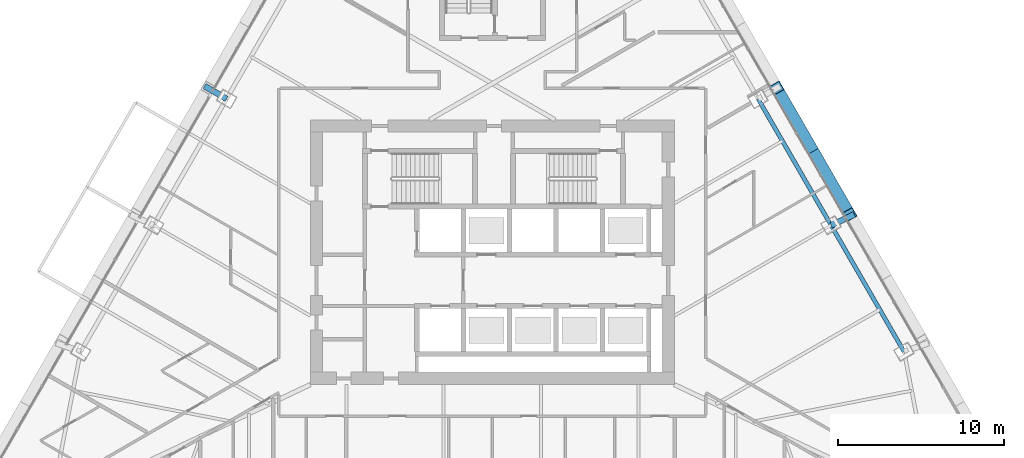
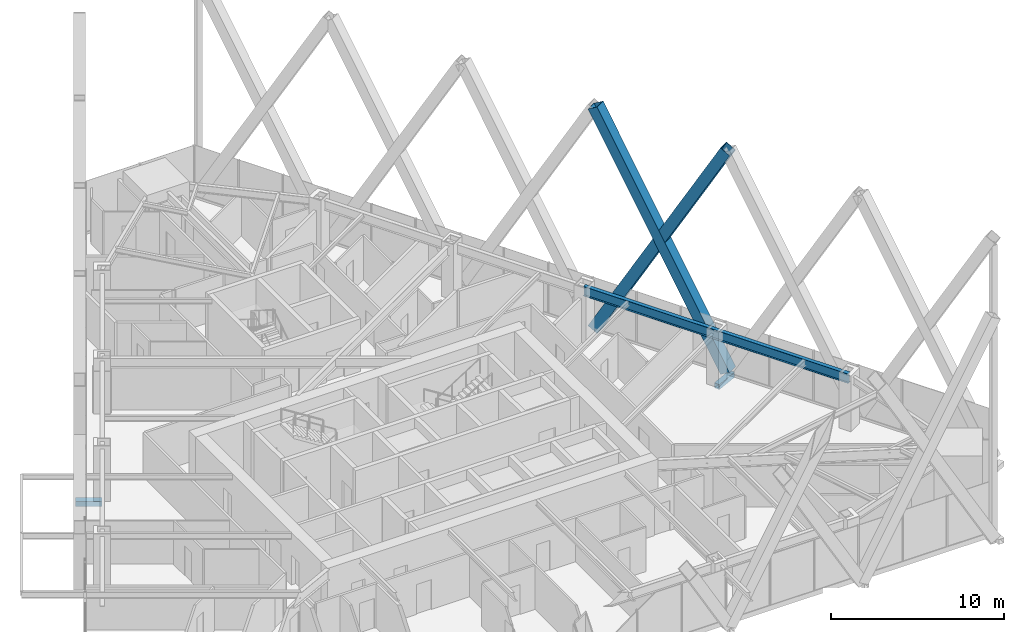
# One storey, part 6 of 19: 4 members, 1 beam.
"""IFC4 building model written with IfcOpenShell, lengths in metres."""

from ifc_helpers import new_model, si_unit, direction, frame, origin, origin_2d, place, context, subcontext, project, spatial, hollow_rectangle, i_section, extrude, material, material_profile, profile_set, type_object, element, save


model = new_model("IFC4")

# Units and contexts
model_context = context("Model", 3, precision=1e-05, world=origin(), true_north=direction((0.0, 1.0)))
body_context = subcontext(model_context, "Body", "Model", "MODEL_VIEW")
ifc_project = project(units=[si_unit("LENGTHUNIT", "METRE"), si_unit("AREAUNIT", "SQUARE_METRE"), si_unit("VOLUMEUNIT", "CUBIC_METRE"), si_unit("PLANEANGLEUNIT", "RADIAN"), si_unit("MASSUNIT", "GRAM", prefix="KILO")], contexts=[model_context])

# Site, building, storey
site_placement = place(None, origin())
site = spatial("IfcSite", under=ifc_project, at=site_placement, CompositionType="ELEMENT")
building_placement = place(site_placement, origin())
building = spatial("IfcBuilding", under=site, at=building_placement, Name="Firuza Gate Tower and Library", CompositionType="ELEMENT")
storey_placement = place(building_placement, frame((0.0, 0.0, 187.0)))
storey = spatial("IfcBuildingStorey", under=building, at=storey_placement, Name="L43", CompositionType="ELEMENT", Elevation=187.0)

# Members
ifc_material_1 = material(Name="Steel S355", Category="steel")
ifc_material_profile_1 = material_profile(ifc_material_1, hollow_rectangle(XDim=0.699951171875, YDim=0.699951171875, WallThickness=0.030029296875, at=origin_2d()))
ifc_profile_set_1 = profile_set([ifc_material_profile_1], Name="Steel S355")
member_type_1 = type_object("IfcMemberType", Name="BU700x700x30 Lattice brace", PredefinedType="BRACE", material=ifc_profile_set_1)
for number, where, z_axis, x_axis, name in (
    (1, (96.59423828125, 77.278564453125, 0.0), (-0.246174118604, 0.426363983638, 0.870409131837), (-0.866014182773, -0.500019434859, 0.0), "Lattice brace E 10.3R"),
    (2, (92.18212890625, 84.920166015625, 0.0), (0.246174118604, -0.426363983638, 0.870409131837), (0.866014182773, 0.500019434859, 0.0), "Lattice brace E 10.3L"),
):
    element("IfcMember", number, at=place(storey_placement, frame(where, z_axis=z_axis, x_axis=x_axis)), inside=storey, type_object=member_type_1, Name=name, PredefinedType="BRACE", context=body_context, shape_type="SweptSolid", body=[
        extrude(hollow_rectangle(XDim=0.699951171875, YDim=0.699951171875, WallThickness=0.030029296875, at=origin_2d()), origin(), (0.0, 0.0, 1.0), 17.922607421875),
    ])
ifc_material_2 = material(Name="Steel S355", Category="steel")
ifc_material_profile_2 = material_profile(ifc_material_2, hollow_rectangle(XDim=0.355712890625, YDim=0.355712890625, WallThickness=0.014892578125, at=origin_2d()))
ifc_profile_set_2 = profile_set([ifc_material_profile_2], Name="Steel S355")
member_type_2 = type_object("IfcMemberType", Name="HSS356x356x16 Lattice node tie", PredefinedType="BRACE", material=ifc_profile_set_2)
member_1_placement = place(storey_placement, frame((95.46826171875, 76.62841796875, -0.320068359375), z_axis=(0.907213573274, 0.420670337042, 0.0), x_axis=(-0.420670337042, 0.907213573274, 0.0)))
element("IfcMember", 3, at=member_1_placement, inside=storey, type_object=member_type_2, Name="Lattice node tie E L43 207", PredefinedType="BRACE", context=body_context, shape_type="SweptSolid", body=[
    extrude(hollow_rectangle(XDim=0.355712890625, YDim=0.355712890625, WallThickness=0.014892578125, at=origin_2d()), origin(), (0.0, 0.0, 1.0), 1.54541015625),
])
member_2_placement = place(storey_placement, frame((58.943603515625, 84.270263671875, -0.320068359375), z_axis=(-0.866048237946, 0.499960447986, 0.0), x_axis=(-0.499960447986, -0.866048237946, 0.0)))
element("IfcMember", 4, at=member_2_placement, inside=storey, type_object=member_type_2, Name="Lattice node tie W L43 224", PredefinedType="BRACE", context=body_context, shape_type="SweptSolid", body=[
    extrude(hollow_rectangle(XDim=0.355712890625, YDim=0.355712890625, WallThickness=0.014892578125, at=origin_2d()), origin(), (0.0, 0.0, 1.0), 1.5390625),
])

# Beam
ifc_material_3 = material(Name="Steel S355", Category="steel")
ifc_material_profile_3 = material_profile(ifc_material_3, i_section(OverallWidth=0.2529296875, OverallDepth=0.677978515625, WebThickness=0.01171875, FlangeThickness=0.016357421875, at=origin_2d()))
ifc_profile_set_3 = profile_set([ifc_material_profile_3], Name="Steel S355")
beam_type = type_object("IfcBeamType", Name="W690x125 Edge beam", PredefinedType="SPANDREL", material=ifc_profile_set_3)
beam_placement = place(storey_placement, frame((99.880126953125, 68.98681640625, 3.361083984375), z_axis=(-0.499992693477, 0.866029622166, 0.0), x_axis=(-0.866029622166, -0.499992693477, 0.0)))
element("IfcBeam", 5, at=beam_placement, inside=storey, type_object=beam_type, Name="Edge beam L43 e50", PredefinedType="SPANDREL", context=body_context, shape_type="SweptSolid", body=[
    extrude(i_section(OverallWidth=0.2529296875, OverallDepth=0.677978515625, WebThickness=0.01171875, FlangeThickness=0.016357421875, at=origin_2d()), origin(), (0.0, 0.0, 1.0), 17.647705078125),
])

save(model, "model.ifc")
